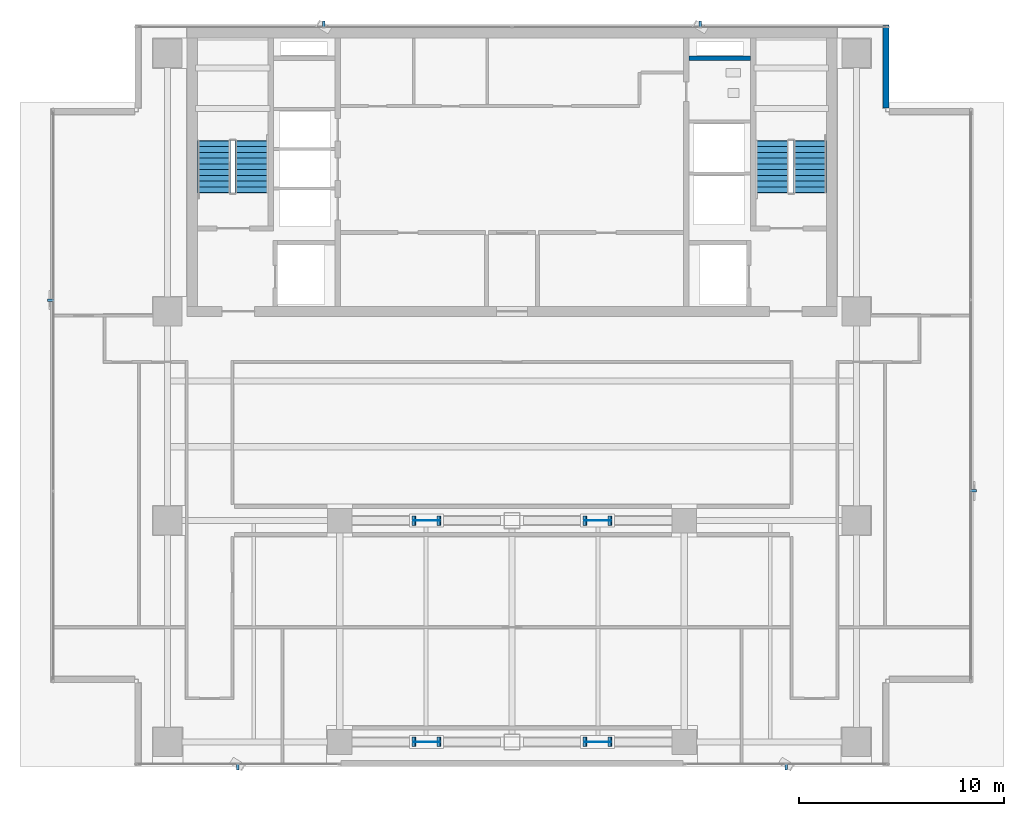
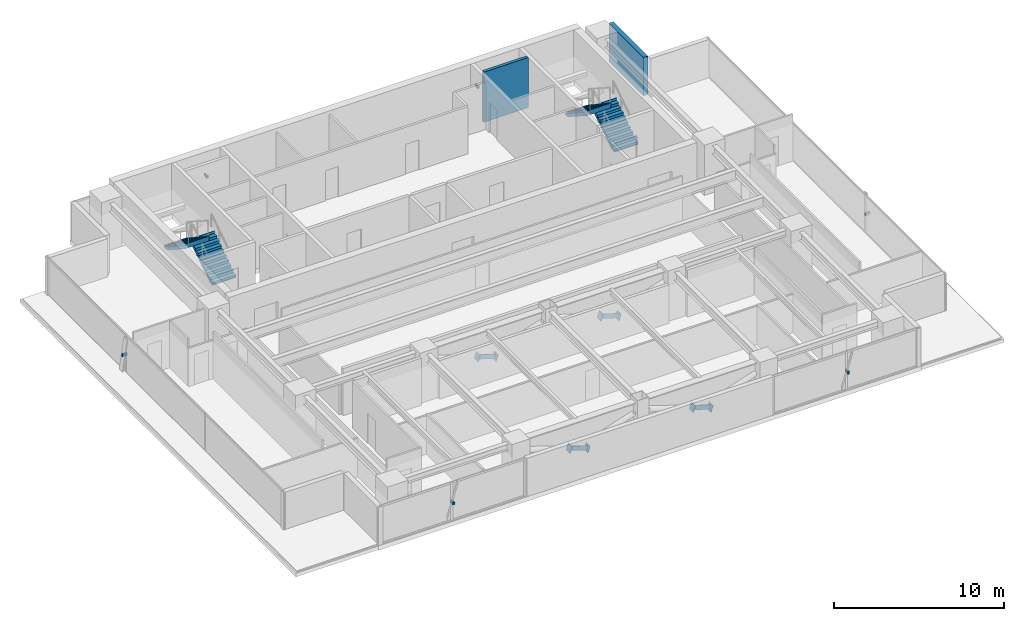
# One storey, part 22 of 27: 18 discrete accessories, 4 stair flights, 2 walls, 2 elements without a shape of their own.
"""IFC4 building model written with IfcOpenShell, lengths in metres."""

from ifc_helpers import new_model, si_unit, direction, frame, frame_2d, origin, origin_2d, place, context, subcontext, project, spatial, polyline, rectangle, outline, extrude, source, transform, mapped, material, layer, layer_set, material_profile, profile_set, type_object, element, aggregate, save


model = new_model("IFC4")

# Units and contexts
model_context = context("Model", 3, precision=1e-05, world=origin(), true_north=direction((0.0, 1.0)))
body_context = subcontext(model_context, "Body", "Model", "MODEL_VIEW")
ifc_project = project(units=[si_unit("LENGTHUNIT", "METRE"), si_unit("AREAUNIT", "SQUARE_METRE"), si_unit("VOLUMEUNIT", "CUBIC_METRE"), si_unit("PLANEANGLEUNIT", "RADIAN"), si_unit("MASSUNIT", "GRAM", prefix="KILO")], contexts=[model_context])

# Site, building, storey
site_placement = place(None, origin())
site = spatial("IfcSite", under=ifc_project, at=site_placement, CompositionType="ELEMENT")
building_placement = place(site_placement, origin())
building = spatial("IfcBuilding", under=site, at=building_placement, Name="Sumidabori Civic Tower", CompositionType="ELEMENT")
storey_placement = place(building_placement, frame((0.0, 0.0, 228.800048828125)))
storey = spatial("IfcBuildingStorey", under=building, at=storey_placement, Name="L59", CompositionType="ELEMENT", Elevation=228.800048828125)

# Walls
ifc_material_1 = material(Name="Concrete C50/60", Category="concrete")
ifc_layer_1 = layer(ifc_material_1, 0.199951171875, Name="Concrete C50/60")
ifc_layer_set_1 = layer_set([ifc_layer_1], Name="Concrete C50/60")
wall_type_1 = type_object("IfcWallType", Name="WL-SHAFT-200", PredefinedType="SHEAR", material=ifc_layer_set_1)
shared_shape_1 = source(origin(), body_context, "Body", "SweptSolid", [
    extrude(rectangle(XDim=3.02001953125, YDim=0.199951171875, at=frame_2d((1.510009765625, 0.0))), origin(), (0.0, 0.0, 1.0), 3.599853515625),
])
wall_1_placement = place(storey_placement, frame((8.625, 22.550048828125, 0.0), z_axis=(0.0, 0.0, 1.0), x_axis=(1.0, 0.0, 0.0)))
element("IfcWall", 1, at=wall_1_placement, inside=storey, type_object=wall_type_1, Name="Core Shear Wall L59 RIS2-S", PredefinedType="SHEAR", context=body_context, shape_type="MappedRepresentation", body=[
    mapped(shared_shape_1, transform((0.0, 0.0, 0.0), x_axis=(1.0, 0.0, 0.0), y_axis=(0.0, 1.0, 0.0), z_axis=(0.0, 0.0, 1.0), scale=1.0)),
])
ifc_material_2 = material(Name="Precast concrete C40/50", Category="concrete")
ifc_layer_2 = layer(ifc_material_2, 0.300048828125, Name="Precast concrete C40/50")
ifc_layer_set_2 = layer_set([ifc_layer_2], Name="Precast concrete C40/50")
wall_type_2 = type_object("IfcWallType", Name="WL-EXT-POD300", PredefinedType="STANDARD", material=ifc_layer_set_2)
shared_shape_2 = source(origin(), body_context, "Body", "SweptSolid", [
    extrude(rectangle(XDim=4.059814453125, YDim=0.300048828125, at=frame_2d((2.02978515625, 0.0))), origin(), (0.0, 0.0, 1.0), 2.75),
])
wall_2_placement = place(storey_placement, frame((18.25, 20.1201171875, 0.0), z_axis=(0.0, 0.0, 1.0), x_axis=(0.0, 1.0, 0.0)))
element("IfcWall", 2, at=wall_2_placement, inside=storey, type_object=wall_type_2, Name="Notched Corner Spandrel Band L59-07", PredefinedType="STANDARD", context=body_context, shape_type="MappedRepresentation", body=[
    mapped(shared_shape_2, transform((0.0, 0.0, 0.0), x_axis=(1.0, 0.0, 0.0), y_axis=(0.0, 1.0, 0.0), z_axis=(0.0, 0.0, 1.0), scale=1.0)),
])

# Stair, stair flights
ifc_material_3 = material(Name="Concrete C40/50", Category="concrete")
stair_type = type_object("IfcStairType", Name="ST-CORE-1600", PredefinedType="HALF_TURN_STAIR", material=ifc_material_3)
stair_1_placement = place(storey_placement, origin())
stair_1 = element("IfcStair", 3, at=stair_1_placement, inside=storey, type_object=stair_type, Name="L59 ST-1", PredefinedType="HALF_TURN_STAIR")
stair_flight_type = type_object("IfcStairFlightType", Name="SF-CORE-1600", PredefinedType="STRAIGHT", material=ifc_material_3)
shared_shape_3 = source(origin(), body_context, "Body", "SweptSolid", [
    extrude(outline(polyline([(-0.02490234375, 0.0), (-0.02490234375, 0.0400390625), (0.0, 0.0400390625), (0.0, 0.179931640625), (0.280029296875, 0.179931640625), (0.280029296875, 0.360107421875), (0.56005859375, 0.360107421875), (0.56005859375, 0.5400390625), (0.840087890625, 0.5400390625), (0.840087890625, 0.719970703125), (1.1201171875, 0.719970703125), (1.1201171875, 0.89990234375), (1.39990234375, 0.89990234375), (1.39990234375, 1.080078125), (1.679931640625, 1.080078125), (1.679931640625, 1.260009765625), (1.9599609375, 1.260009765625), (1.9599609375, 1.43994140625), (2.239990234375, 1.43994140625), (2.239990234375, 1.6201171875), (2.52001953125, 1.6201171875), (2.52001953125, 1.800048828125), (2.544921875, 1.800048828125), (2.544921875, 1.650146484375), (2.52001953125, 1.44189453125), (0.277099609375, 0.0), (-0.02490234375, 0.0)])), frame((0.0, 0.800048828125, 0.0), z_axis=(0.0, -1.0, 0.0), x_axis=(1.0, 0.0, 0.0)), (0.0, 0.0, 1.0), 1.60009765625),
])
stair_flight_1_placement = place(storey_placement, frame((-12.699951171875, 16.0, 0.0), z_axis=(0.0, 0.0, 1.0), x_axis=(0.0, 1.0, 0.0)))
stair_flight_1 = element("IfcStairFlight", 4, at=stair_flight_1_placement, type_object=stair_flight_type, Name="ST-1 flight 1", NumberOfRisers=10, NumberOfTreads=9, PredefinedType="STRAIGHT", RiserHeight=0.18, TreadLength=0.28, context=body_context, shape_type="MappedRepresentation", body=[
    mapped(shared_shape_3, transform((0.0, 0.0, 0.0), x_axis=(1.0, 0.0, 0.0), y_axis=(0.0, 1.0, 0.0), z_axis=(0.0, 0.0, 1.0), scale=1.0)),
])
stair_flight_2_placement = place(storey_placement, frame((-14.5400390625, 18.52001953125, 1.800048828125), z_axis=(0.0, 0.0, 1.0), x_axis=(0.0, -1.0, 0.0)))
stair_flight_2 = element("IfcStairFlight", 5, at=stair_flight_2_placement, type_object=stair_flight_type, Name="ST-1 flight 2", NumberOfRisers=10, NumberOfTreads=9, PredefinedType="STRAIGHT", RiserHeight=0.18, TreadLength=0.28, context=body_context, shape_type="MappedRepresentation", body=[
    mapped(shared_shape_3, transform((0.0, 0.0, 0.0), x_axis=(1.0, 0.0, 0.0), y_axis=(0.0, 1.0, 0.0), z_axis=(0.0, 0.0, 1.0), scale=1.0)),
])
aggregate(stair_1, [stair_flight_1, stair_flight_2])

stair_2_placement = place(storey_placement, origin())
stair_2 = element("IfcStair", 6, at=stair_2_placement, inside=storey, type_object=stair_type, Name="L59 ST-2", PredefinedType="HALF_TURN_STAIR")
stair_flight_3_placement = place(storey_placement, frame((14.5400390625, 16.0, 0.0), z_axis=(0.0, 0.0, 1.0), x_axis=(0.0, 1.0, 0.0)))
stair_flight_3 = element("IfcStairFlight", 7, at=stair_flight_3_placement, type_object=stair_flight_type, Name="ST-2 flight 1", NumberOfRisers=10, NumberOfTreads=9, PredefinedType="STRAIGHT", RiserHeight=0.18, TreadLength=0.28, context=body_context, shape_type="MappedRepresentation", body=[
    mapped(shared_shape_3, transform((0.0, 0.0, 0.0), x_axis=(1.0, 0.0, 0.0), y_axis=(0.0, 1.0, 0.0), z_axis=(0.0, 0.0, 1.0), scale=1.0)),
])
stair_flight_4_placement = place(storey_placement, frame((12.699951171875, 18.52001953125, 1.800048828125), z_axis=(0.0, 0.0, 1.0), x_axis=(0.0, -1.0, 0.0)))
stair_flight_4 = element("IfcStairFlight", 8, at=stair_flight_4_placement, type_object=stair_flight_type, Name="ST-2 flight 2", NumberOfRisers=10, NumberOfTreads=9, PredefinedType="STRAIGHT", RiserHeight=0.18, TreadLength=0.28, context=body_context, shape_type="MappedRepresentation", body=[
    mapped(shared_shape_3, transform((0.0, 0.0, 0.0), x_axis=(1.0, 0.0, 0.0), y_axis=(0.0, 1.0, 0.0), z_axis=(0.0, 0.0, 1.0), scale=1.0)),
])
aggregate(stair_2, [stair_flight_3, stair_flight_4])

# Discrete accessories
ifc_material_4 = material(Name="Steel SN490", Category="steel")
ifc_layer_3 = layer(ifc_material_4, 0.028076171875, Name="Steel SN490")
ifc_layer_set_3 = layer_set([ifc_layer_3], Name="Steel SN490")
discrete_accessory_type_1 = type_object("IfcDiscreteAccessoryType", Name="AC-CAP-SN490", PredefinedType="USERDEFINED", material=ifc_layer_set_3)
shared_shape_4 = source(origin(), body_context, "Body", "SweptSolid", [
    extrude(rectangle(XDim=0.466064453125, YDim=0.466064453125, at=origin_2d()), origin(), (0.0, 0.0, 1.0), 0.0400390625),
])
for number, where, z_axis, x_axis, name in (
    (9, (-4.795166015625, -10.800048828125, 1.5146484375), (0.952282288042, 0.0, -0.305218682065), (0.0, 1.0, 0.0), "Hollow Section End Cap Plate XND-PT1-1 Lower"),
    (10, (-3.544921875, -10.800048828125, 1.1103515625), (-0.952282288042, 0.0, 0.305218682065), (0.0, -1.0, 0.0), "Hollow Section End Cap Plate XND-PT1-1 Upper"),
    (11, (3.544921875, -10.800048828125, 1.5146484375), (0.952282288042, 0.0, -0.305218682065), (0.0, 1.0, 0.0), "Hollow Section End Cap Plate XND-PT1-2 Lower"),
    (12, (4.795166015625, -10.800048828125, 1.1103515625), (-0.952282288042, 0.0, 0.305218682065), (0.0, -1.0, 0.0), "Hollow Section End Cap Plate XND-PT1-2 Upper"),
    (13, (-4.795166015625, 0.0, 1.5146484375), (0.952282288042, 0.0, -0.305218682065), (0.0, 1.0, 0.0), "Hollow Section End Cap Plate XND-PT2-1 Lower"),
    (14, (-3.544921875, 0.0, 1.1103515625), (-0.952282288042, 0.0, 0.305218682065), (0.0, -1.0, 0.0), "Hollow Section End Cap Plate XND-PT2-1 Upper"),
    (15, (3.544921875, 0.0, 1.5146484375), (0.952282288042, 0.0, -0.305218682065), (0.0, 1.0, 0.0), "Hollow Section End Cap Plate XND-PT2-2 Lower"),
    (16, (4.795166015625, 0.0, 1.1103515625), (-0.952282288042, 0.0, 0.305218682065), (0.0, -1.0, 0.0), "Hollow Section End Cap Plate XND-PT2-2 Upper"),
):
    element("IfcDiscreteAccessory", number, at=place(storey_placement, frame(where, z_axis=z_axis, x_axis=x_axis)), inside=storey, type_object=discrete_accessory_type_1, Name=name, ObjectType="End Cap Plate", PredefinedType="USERDEFINED", context=body_context, shape_type="MappedRepresentation", body=[
        mapped(shared_shape_4, transform((0.0, 0.0, 0.0), x_axis=(1.0, 0.0, 0.0), y_axis=(0.0, 1.0, 0.0), z_axis=(0.0, 0.0, 1.0), scale=1.0)),
    ])
ifc_layer_4 = layer(ifc_material_4, 0.0400390625, Name="Steel SN490")
ifc_layer_set_4 = layer_set([ifc_layer_4], Name="Steel SN490")
discrete_accessory_type_2 = type_object("IfcDiscreteAccessoryType", Name="AC-XND-SN490", PredefinedType="BRACKET", material=ifc_layer_set_4)
shared_shape_5 = source(origin(), body_context, "Body", "SweptSolid", [
    extrude(rectangle(XDim=0.0400390625, YDim=0.320068359375, at=origin_2d()), origin(), (0.0, 0.0, 1.0), 1.267822265625),
])
for number, where, z_axis, x_axis, name in (
    (17, (-4.773193359375, -10.800048828125, 1.507568359375), (0.951476030097, 0.0, -0.307722869074), (0.0, 1.0, 0.0), "X-Brace Crossing Gusset Node XND-PT1-1"),
    (18, (3.56689453125, -10.800048828125, 1.507568359375), (0.951476030097, 0.0, -0.307722869074), (0.0, 1.0, 0.0), "X-Brace Crossing Gusset Node XND-PT1-2"),
    (19, (-4.773193359375, 0.0, 1.507568359375), (0.951476030097, 0.0, -0.307722869074), (0.0, 1.0, 0.0), "X-Brace Crossing Gusset Node XND-PT2-1"),
    (20, (3.56689453125, 0.0, 1.507568359375), (0.951476030097, 0.0, -0.307722869074), (0.0, 1.0, 0.0), "X-Brace Crossing Gusset Node XND-PT2-2"),
):
    element("IfcDiscreteAccessory", number, at=place(storey_placement, frame(where, z_axis=z_axis, x_axis=x_axis)), inside=storey, type_object=discrete_accessory_type_2, Name=name, PredefinedType="BRACKET", context=body_context, shape_type="MappedRepresentation", body=[
        mapped(shared_shape_5, transform((0.0, 0.0, 0.0), x_axis=(1.0, 0.0, 0.0), y_axis=(0.0, 1.0, 0.0), z_axis=(0.0, 0.0, 1.0), scale=1.0)),
    ])
ifc_material_5 = material(Name="Stainless Steel Hairline Finish", Category="steel")
ifc_material_profile = material_profile(ifc_material_5, rectangle(XDim=0.1201171875, YDim=0.179931640625, at=origin_2d()), Name="STEEL BRACKET 180x120")
ifc_profile_set = profile_set([ifc_material_profile], Name="Stainless Steel Hairline Finish")
discrete_accessory_type_3 = type_object("IfcDiscreteAccessoryType", Name="AC-BRK-180", PredefinedType="BRACKET", material=ifc_profile_set)
shared_shape_6 = source(origin(), body_context, "Body", "SweptSolid", [
    extrude(rectangle(XDim=0.1201171875, YDim=0.179931640625, at=origin_2d()), origin(), (0.0, 0.0, 1.0), 0.329833984375),
])
for number, where, z_axis, x_axis, name in (
    (21, (-13.385009765625, -11.830078125, 1.364990234375), (0.0, -1.0, 0.0), (1.0, 0.0, 0.0), "Bronze Fin Fixing Bracket L59-01"),
    (22, (13.385009765625, -11.830078125, 1.364990234375), (0.0, -1.0, 0.0), (1.0, 0.0, 0.0), "Bronze Fin Fixing Bracket L59-01"),
    (23, (22.330078125, 1.443359375, 1.364990234375), (1.0, 0.0, 0.0), (0.0, 1.0, 0.0), "Bronze Fin Fixing Bracket L59-01"),
    (24, (-22.330078125, 10.756591796875, 1.364990234375), (-1.0, 0.0, 0.0), (0.0, -1.0, 0.0), "Bronze Fin Fixing Bracket L59-01"),
):
    element("IfcDiscreteAccessory", number, at=place(storey_placement, frame(where, z_axis=z_axis, x_axis=x_axis)), inside=storey, type_object=discrete_accessory_type_3, Name=name, PredefinedType="BRACKET", context=body_context, shape_type="MappedRepresentation", body=[
        mapped(shared_shape_6, transform((0.0, 0.0, 0.0), x_axis=(1.0, 0.0, 0.0), y_axis=(0.0, 1.0, 0.0), z_axis=(0.0, 0.0, 1.0), scale=1.0)),
    ])
shared_shape_7 = source(origin(), body_context, "Body", "SweptSolid", [
    extrude(rectangle(XDim=0.1201171875, YDim=0.179931640625, at=origin_2d()), origin(), (0.0, 0.0, 1.0), 0.330078125),
])
for number, where, z_axis, x_axis, name in (
    (25, (9.18505859375, 24.030029296875, 1.364990234375), (0.0, 1.0, 0.0), (-1.0, 0.0, 0.0), "Bronze Fin Fixing Bracket L59-01"),
    (26, (-9.18505859375, 24.030029296875, 1.364990234375), (0.0, 1.0, 0.0), (-1.0, 0.0, 0.0), "Bronze Fin Fixing Bracket L59-03"),
):
    element("IfcDiscreteAccessory", number, at=place(storey_placement, frame(where, z_axis=z_axis, x_axis=x_axis)), inside=storey, type_object=discrete_accessory_type_3, Name=name, PredefinedType="BRACKET", context=body_context, shape_type="MappedRepresentation", body=[
        mapped(shared_shape_7, transform((0.0, 0.0, 0.0), x_axis=(1.0, 0.0, 0.0), y_axis=(0.0, 1.0, 0.0), z_axis=(0.0, 0.0, 1.0), scale=1.0)),
    ])

save(model, "model.ifc")
